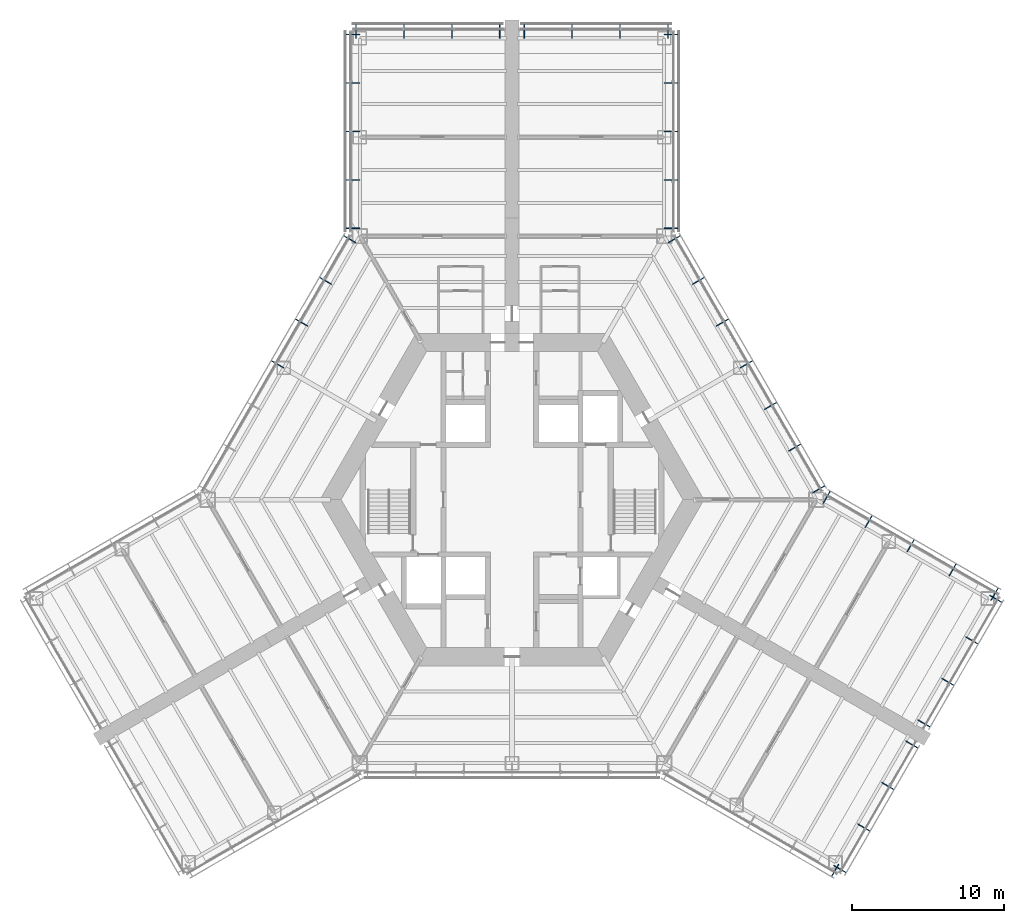
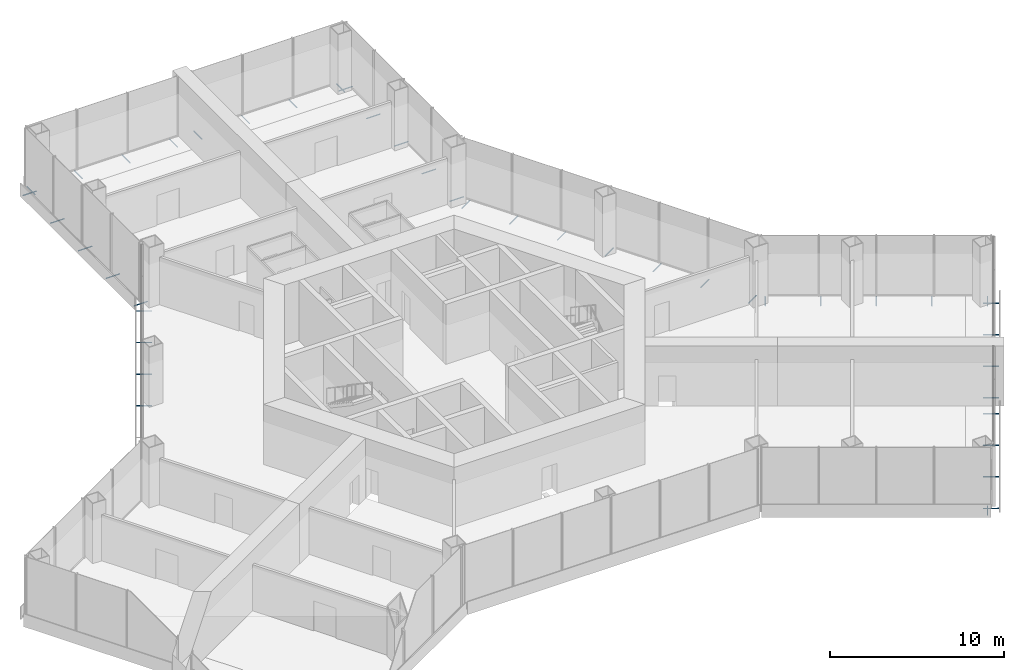
# One storey, part 14 of 15: 43 discrete accessories.
"""IFC4 building model written with IfcOpenShell, lengths in metres."""

from ifc_helpers import new_model, si_unit, direction, frame, origin, origin_2d, place, context, subcontext, project, spatial, hollow_circle, extrude, material, material_profile, profile_set, type_object, element, save


model = new_model("IFC4")

# Units and contexts
model_context = context("Model", 3, precision=1e-05, world=origin(), true_north=direction((0.0, 1.0)))
body_context = subcontext(model_context, "Body", "Model", "MODEL_VIEW")
ifc_project = project(units=[si_unit("LENGTHUNIT", "METRE"), si_unit("AREAUNIT", "SQUARE_METRE"), si_unit("VOLUMEUNIT", "CUBIC_METRE"), si_unit("PLANEANGLEUNIT", "RADIAN"), si_unit("MASSUNIT", "GRAM", prefix="KILO")], contexts=[model_context])

# Site, building, storey
site_placement = place(None, origin())
site = spatial("IfcSite", under=ifc_project, at=site_placement, CompositionType="ELEMENT")
building_placement = place(site_placement, origin())
building = spatial("IfcBuilding", under=site, at=building_placement, Name="Kasaneha Research Tower", CompositionType="ELEMENT")
storey_placement = place(building_placement, frame((0.0, 0.0, 39.39990234375)))
storey = spatial("IfcBuildingStorey", under=building, at=storey_placement, Name="L10", CompositionType="ELEMENT", Elevation=39.39990234375)

# Discrete accessories
ifc_material = material(Name="Steel STK400", Category="steel")
ifc_material_profile = material_profile(ifc_material, hollow_circle(Radius=0.0380859375, WallThickness=0.00390625, at=origin_2d()), Name="CHS-76.3x4.0")
ifc_profile_set = profile_set([ifc_material_profile], Name="Steel STK400")
discrete_accessory_type = type_object("IfcDiscreteAccessoryType", Name="Screen bracket CHS-76.3x4.0", PredefinedType="BRACKET", material=ifc_profile_set)
discrete_accessory_1_placement = place(storey_placement, frame((21.474853515625, -23.945556640625, -0.31982421875), z_axis=(-0.500021113727, -0.866013213425, 0.0), x_axis=(0.866013213425, -0.500021113727, 0.0)))
element("IfcDiscreteAccessory", 1, at=discrete_accessory_1_placement, inside=storey, type_object=discrete_accessory_type, Name="Screen bracket 5", PredefinedType="BRACKET", context=body_context, shape_type="SweptSolid", body=[
    extrude(hollow_circle(Radius=0.0380859375, WallThickness=0.00390625, at=origin_2d()), origin(), (0.0, 0.0, 1.0), 0.919921875),
])
for number, where, z_axis, x_axis, name in (
    (2, (21.13330078125, -24.037109375, -0.31982421875), (0.866079547155, -0.499906209203, 0.0), (0.499906209203, 0.866079547155, 0.0), "Screen bracket 1"),
    (3, (22.708251953125, -21.30908203125, -0.31982421875), (0.866079547155, -0.499906209203, 0.0), (0.499906209203, 0.866079547155, 0.0), "Screen bracket 2"),
):
    element("IfcDiscreteAccessory", number, at=place(storey_placement, frame(where, z_axis=z_axis, x_axis=x_axis)), inside=storey, type_object=discrete_accessory_type, Name=name, PredefinedType="BRACKET", context=body_context, shape_type="SweptSolid", body=[
        extrude(hollow_circle(Radius=0.0380859375, WallThickness=0.00390625, at=origin_2d()), origin(), (0.0, 0.0, 1.0), 0.920166015625),
    ])
for number, where, z_axis, x_axis, name in (
    (4, (24.283447265625, -18.5810546875, -0.31982421875), (0.866013213425, -0.500021113727, 0.0), (0.500021113727, 0.866013213425, 0.0), "Screen bracket 3"),
    (5, (25.8583984375, -15.85302734375, -0.31982421875), (0.866013213425, -0.500021113727, 0.0), (0.500021113727, 0.866013213425, 0.0), "Screen bracket 4"),
    (6, (26.658447265625, -14.467529296875, -0.31982421875), (0.866013213425, -0.500021113727, 0.0), (0.500021113727, 0.866013213425, 0.0), "Screen bracket 1"),
    (7, (28.2333984375, -11.739501953125, -0.31982421875), (0.866013213425, -0.500021113727, 0.0), (0.500021113727, 0.866013213425, 0.0), "Screen bracket 2"),
    (8, (29.808349609375, -9.011474609375, -0.31982421875), (0.866013213425, -0.500021113727, 0.0), (0.500021113727, 0.866013213425, 0.0), "Screen bracket 3"),
):
    element("IfcDiscreteAccessory", number, at=place(storey_placement, frame(where, z_axis=z_axis, x_axis=x_axis)), inside=storey, type_object=discrete_accessory_type, Name=name, PredefinedType="BRACKET", context=body_context, shape_type="SweptSolid", body=[
        extrude(hollow_circle(Radius=0.0380859375, WallThickness=0.00390625, at=origin_2d()), origin(), (0.0, 0.0, 1.0), 0.919921875),
    ])
discrete_accessory_2_placement = place(storey_placement, frame((31.38330078125, -6.283447265625, -0.31982421875), z_axis=(0.866079547155, -0.499906209203, 0.0), x_axis=(0.499906209203, 0.866079547155, 0.0)))
element("IfcDiscreteAccessory", 9, at=discrete_accessory_2_placement, inside=storey, type_object=discrete_accessory_type, Name="Screen bracket 4", PredefinedType="BRACKET", context=body_context, shape_type="SweptSolid", body=[
    extrude(hollow_circle(Radius=0.0380859375, WallThickness=0.00390625, at=origin_2d()), origin(), (0.0, 0.0, 1.0), 0.920166015625),
])
discrete_accessory_3_placement = place(storey_placement, frame((31.474853515625, -6.625, -0.31982421875), z_axis=(0.500021113727, 0.866013213425, 0.0), x_axis=(-0.866013213425, 0.500021113727, 0.0)))
element("IfcDiscreteAccessory", 10, at=discrete_accessory_3_placement, inside=storey, type_object=discrete_accessory_type, Name="Screen bracket 1", PredefinedType="BRACKET", context=body_context, shape_type="SweptSolid", body=[
    extrude(hollow_circle(Radius=0.0380859375, WallThickness=0.00390625, at=origin_2d()), origin(), (0.0, 0.0, 1.0), 0.919921875),
])
discrete_accessory_4_placement = place(storey_placement, frame((28.716796875, -5.03271484375, -0.31982421875), z_axis=(0.499906209203, 0.866079547155, 0.0), x_axis=(-0.866079547155, 0.499906209203, 0.0)))
element("IfcDiscreteAccessory", 11, at=discrete_accessory_4_placement, inside=storey, type_object=discrete_accessory_type, Name="Screen bracket 2", PredefinedType="BRACKET", context=body_context, shape_type="SweptSolid", body=[
    extrude(hollow_circle(Radius=0.0380859375, WallThickness=0.00390625, at=origin_2d()), origin(), (0.0, 0.0, 1.0), 0.920166015625),
])
discrete_accessory_5_placement = place(storey_placement, frame((25.95849609375, -3.440185546875, -0.31982421875), z_axis=(0.500220121494, 0.865898279276, 0.0), x_axis=(-0.865898279276, 0.500220121494, 0.0)))
element("IfcDiscreteAccessory", 12, at=discrete_accessory_5_placement, inside=storey, type_object=discrete_accessory_type, Name="Screen bracket 3", PredefinedType="BRACKET", context=body_context, shape_type="SweptSolid", body=[
    extrude(hollow_circle(Radius=0.0380859375, WallThickness=0.00390625, at=origin_2d()), origin(), (0.0, 0.0, 1.0), 0.919921875),
])
discrete_accessory_6_placement = place(storey_placement, frame((23.200439453125, -1.847900390625, -0.31982421875), z_axis=(0.499906209203, 0.866079547155, 0.0), x_axis=(-0.866079547155, 0.499906209203, 0.0)))
element("IfcDiscreteAccessory", 13, at=discrete_accessory_6_placement, inside=storey, type_object=discrete_accessory_type, Name="Screen bracket 4", PredefinedType="BRACKET", context=body_context, shape_type="SweptSolid", body=[
    extrude(hollow_circle(Radius=0.0380859375, WallThickness=0.00390625, at=origin_2d()), origin(), (0.0, 0.0, 1.0), 0.920166015625),
])
for number, where, z_axis, x_axis, name in (
    (14, (20.4423828125, -0.25537109375, -0.31982421875), (0.500021113727, 0.866013213425, 0.0), (-0.866013213425, 0.500021113727, 0.0), "Screen bracket 5"),
    (15, (19.74462890625, 0.4423828125, -0.31982421875), (0.866013213425, 0.500021113727, 0.0), (-0.500021113727, 0.866013213425, 0.0), "Screen bracket 1"),
    (16, (18.1630859375, 3.181640625, -0.31982421875), (0.866013213425, 0.500021113727, 0.0), (-0.500021113727, 0.866013213425, 0.0), "Screen bracket 2"),
    (17, (16.58154296875, 5.9208984375, -0.31982421875), (0.866013213425, 0.500021113727, 0.0), (-0.500021113727, 0.866013213425, 0.0), "Screen bracket 3"),
    (18, (15.0, 8.66015625, -0.31982421875), (0.865898279276, 0.500220121494, 0.0), (-0.500220121494, 0.865898279276, 0.0), "Screen bracket 4"),
    (19, (13.41845703125, 11.399658203125, -0.31982421875), (0.866013213425, 0.500021113727, 0.0), (-0.500021113727, 0.866013213425, 0.0), "Screen bracket 5"),
    (20, (11.8369140625, 14.138916015625, -0.31982421875), (0.866013213425, 0.500021113727, 0.0), (-0.500021113727, 0.866013213425, 0.0), "Screen bracket 6"),
):
    element("IfcDiscreteAccessory", number, at=place(storey_placement, frame(where, z_axis=z_axis, x_axis=x_axis)), inside=storey, type_object=discrete_accessory_type, Name=name, PredefinedType="BRACKET", context=body_context, shape_type="SweptSolid", body=[
        extrude(hollow_circle(Radius=0.0380859375, WallThickness=0.00390625, at=origin_2d()), origin(), (0.0, 0.0, 1.0), 0.919921875),
    ])
discrete_accessory_7_placement = place(storey_placement, frame((10.25537109375, 16.878173828125, -0.31982421875), z_axis=(0.866079547155, 0.499906209203, 0.0), x_axis=(-0.499906209203, 0.866079547155, 0.0)))
element("IfcDiscreteAccessory", 21, at=discrete_accessory_7_placement, inside=storey, type_object=discrete_accessory_type, Name="Screen bracket 7", PredefinedType="BRACKET", context=body_context, shape_type="SweptSolid", body=[
    extrude(hollow_circle(Radius=0.0380859375, WallThickness=0.00390625, at=origin_2d()), origin(), (0.0, 0.0, 1.0), 0.920166015625),
])
for number, where, z_axis, x_axis, name in (
    (22, (10.0, 17.831298828125, -0.31982421875), (1.0, 0.0, 0.0), (0.0, 1.0, 0.0), "Screen bracket 1"),
    (23, (10.0, 21.01611328125, -0.31982421875), (1.0, 0.0, 0.0), (0.0, 1.0, 0.0), "Screen bracket 2"),
    (24, (10.0, 24.200927734375, -0.31982421875), (1.0, 0.0, 0.0), (0.0, 1.0, 0.0), "Screen bracket 3"),
    (25, (10.0, 27.3857421875, -0.31982421875), (1.0, 0.0, 0.0), (0.0, 1.0, 0.0), "Screen bracket 4"),
    (26, (10.0, 30.570556640625, -0.31982421875), (1.0, 0.0, 0.0), (0.0, 1.0, 0.0), "Screen bracket 5"),
    (27, (10.25, 30.320556640625, -0.31982421875), (0.0, 1.0, 0.0), (-1.0, 0.0, 0.0), "Screen bracket 1"),
    (28, (7.10009765625, 30.320556640625, -0.31982421875), (0.0, 1.0, 0.0), (-1.0, 0.0, 0.0), "Screen bracket 2"),
    (29, (3.949951171875, 30.320556640625, -0.31982421875), (0.0, 1.0, 0.0), (-1.0, 0.0, 0.0), "Screen bracket 3"),
    (30, (0.800048828125, 30.320556640625, -0.31982421875), (0.0, 1.0, 0.0), (-1.0, 0.0, 0.0), "Screen bracket 4"),
    (31, (-0.800048828125, 30.320556640625, -0.31982421875), (0.0, 1.0, 0.0), (-1.0, 0.0, 0.0), "Screen bracket 1"),
    (32, (-3.949951171875, 30.320556640625, -0.31982421875), (0.0, 1.0, 0.0), (-1.0, 0.0, 0.0), "Screen bracket 2"),
    (33, (-7.10009765625, 30.320556640625, -0.31982421875), (0.0, 1.0, 0.0), (-1.0, 0.0, 0.0), "Screen bracket 3"),
    (34, (-10.25, 30.320556640625, -0.31982421875), (0.0, 1.0, 0.0), (-1.0, 0.0, 0.0), "Screen bracket 4"),
    (35, (-10.0, 30.570556640625, -0.31982421875), (-1.0, 0.0, 0.0), (0.0, -1.0, 0.0), "Screen bracket 1"),
    (36, (-10.0, 27.3857421875, -0.31982421875), (-1.0, 0.0, 0.0), (0.0, -1.0, 0.0), "Screen bracket 2"),
    (37, (-10.0, 24.200927734375, -0.31982421875), (-1.0, 0.0, 0.0), (0.0, -1.0, 0.0), "Screen bracket 3"),
    (38, (-10.0, 21.01611328125, -0.31982421875), (-1.0, 0.0, 0.0), (0.0, -1.0, 0.0), "Screen bracket 4"),
    (39, (-10.0, 17.831298828125, -0.31982421875), (-1.0, 0.0, 0.0), (0.0, -1.0, 0.0), "Screen bracket 5"),
):
    element("IfcDiscreteAccessory", number, at=place(storey_placement, frame(where, z_axis=z_axis, x_axis=x_axis)), inside=storey, type_object=discrete_accessory_type, Name=name, PredefinedType="BRACKET", context=body_context, shape_type="SweptSolid", body=[
        extrude(hollow_circle(Radius=0.0380859375, WallThickness=0.00390625, at=origin_2d()), origin(), (0.0, 0.0, 1.0), 0.919921875),
    ])
discrete_accessory_8_placement = place(storey_placement, frame((-10.25537109375, 16.878173828125, -0.31982421875), z_axis=(-0.866079547155, 0.499906209203, 0.0), x_axis=(-0.499906209203, -0.866079547155, 0.0)))
element("IfcDiscreteAccessory", 40, at=discrete_accessory_8_placement, inside=storey, type_object=discrete_accessory_type, Name="Screen bracket 1", PredefinedType="BRACKET", context=body_context, shape_type="SweptSolid", body=[
    extrude(hollow_circle(Radius=0.0380859375, WallThickness=0.00390625, at=origin_2d()), origin(), (0.0, 0.0, 1.0), 0.920166015625),
])
for number, where, z_axis, x_axis, name in (
    (41, (-11.8369140625, 14.138916015625, -0.31982421875), (-0.866013213425, 0.500021113727, 0.0), (-0.500021113727, -0.866013213425, 0.0), "Screen bracket 2"),
    (42, (-13.41845703125, 11.399658203125, -0.31982421875), (-0.866013213425, 0.500021113727, 0.0), (-0.500021113727, -0.866013213425, 0.0), "Screen bracket 3"),
    (43, (-15.0, 8.66015625, -0.31982421875), (-0.865898279276, 0.500220121494, 0.0), (-0.500220121494, -0.865898279276, 0.0), "Screen bracket 4"),
):
    element("IfcDiscreteAccessory", number, at=place(storey_placement, frame(where, z_axis=z_axis, x_axis=x_axis)), inside=storey, type_object=discrete_accessory_type, Name=name, PredefinedType="BRACKET", context=body_context, shape_type="SweptSolid", body=[
        extrude(hollow_circle(Radius=0.0380859375, WallThickness=0.00390625, at=origin_2d()), origin(), (0.0, 0.0, 1.0), 0.919921875),
    ])

save(model, "model.ifc")
